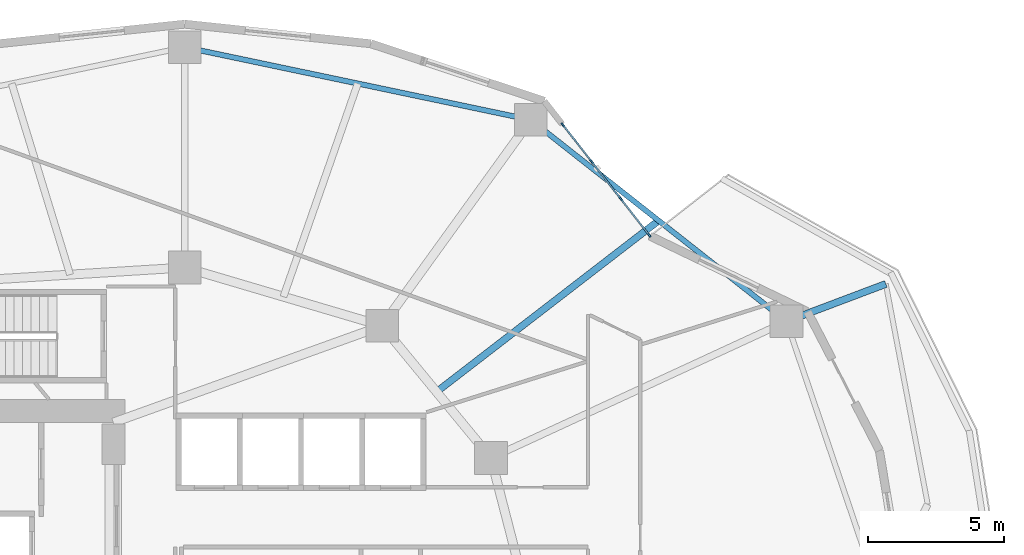
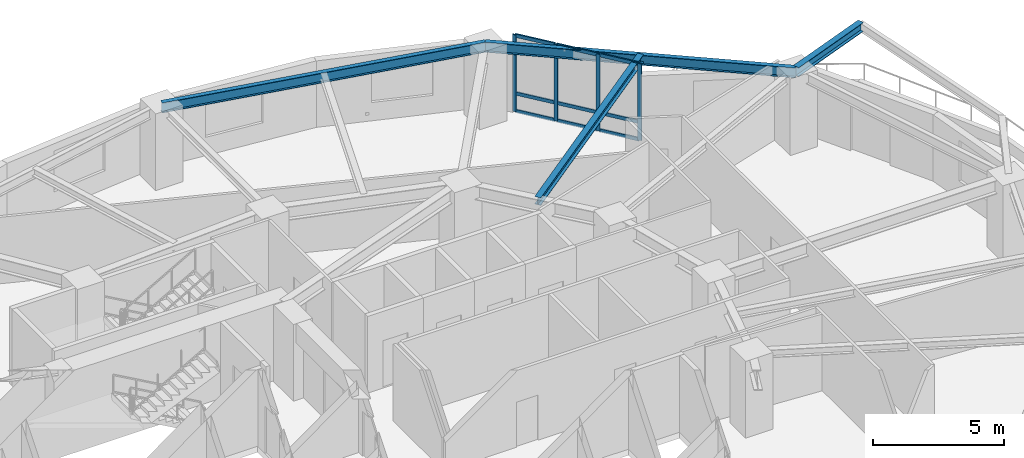
# One storey, part 3 of 12: 13 members, 4 beams, 1 element without a shape of its own.
"""IFC4 building model written with IfcOpenShell, lengths in metres."""

from ifc_helpers import new_model, si_unit, direction, frame, origin, origin_2d, place, context, subcontext, project, spatial, rectangle, i_section, extrude, material, layer, layer_set, material_profile, profile_set, type_object, element, aggregate, save


model = new_model("IFC4")

# Units and contexts
model_context = context("Model", 3, precision=1e-05, world=origin(), true_north=direction((0.0, 1.0)))
body_context = subcontext(model_context, "Body", "Model", "MODEL_VIEW")
ifc_project = project(units=[si_unit("LENGTHUNIT", "METRE"), si_unit("AREAUNIT", "SQUARE_METRE"), si_unit("VOLUMEUNIT", "CUBIC_METRE"), si_unit("PLANEANGLEUNIT", "RADIAN"), si_unit("MASSUNIT", "GRAM", prefix="KILO")], contexts=[model_context])

# Site, building, storey
site_placement = place(None, origin())
site = spatial("IfcSite", under=ifc_project, at=site_placement, CompositionType="ELEMENT")
building_placement = place(site_placement, origin())
building = spatial("IfcBuilding", under=site, at=building_placement, Name="Kolvaren Gate Tower and Convention Centre", CompositionType="ELEMENT")
storey_placement = place(building_placement, frame((0.0, 0.0, 84.25)))
storey = spatial("IfcBuildingStorey", under=building, at=storey_placement, Name="L20", CompositionType="ELEMENT", Elevation=84.25)

# Curtain wall, members
ifc_material_1 = material(Name="Anodized Architectural Aluminium Alloy 6063-T6", Category="aluminium")
ifc_layer = layer(ifc_material_1, 0.159912109375)
ifc_layer_set = layer_set([ifc_layer], Name="Anodized Architectural Aluminium Alloy 6063-T6")
curtain_wall_type = type_object("IfcCurtainWallType", Name="CW-OFF-UNIT", PredefinedType="NOTDEFINED", material=ifc_layer_set)
curtain_wall_placement = place(storey_placement, origin())
curtain_wall = element("IfcCurtainWall", 1, at=curtain_wall_placement, inside=storey, type_object=curtain_wall_type, Name="Tower L20 Unitised Curtain Wall CW-OFF-UNIT Bay 03", PredefinedType="NOTDEFINED")
ifc_material_profile_1 = material_profile(ifc_material_1, rectangle(XDim=0.06494140625, YDim=0.159912109375, at=origin_2d()), Name="CW-MEM-MUL-160")
ifc_profile_set_1 = profile_set([ifc_material_profile_1], Name="Anodized Architectural Aluminium Alloy 6063-T6")
member_type_1 = type_object("IfcMemberType", Name="CW-MEM-MUL-160", PredefinedType="MULLION", material=ifc_profile_set_1)
member_1_placement = place(storey_placement, frame((44.027099609375, 44.443603515625, 0.0), z_axis=(0.0, 0.0, 1.0), x_axis=(0.787406322976, 0.61643432946, 0.0)))
member_1 = element("IfcMember", 2, at=member_1_placement, type_object=member_type_1, Name="CW-02 mullion 1", PredefinedType="MULLION", context=body_context, shape_type="SweptSolid", body=[
    extrude(rectangle(XDim=0.06494140625, YDim=0.159912109375, at=origin_2d()), origin(), (0.0, 0.0, 1.0), 3.570068359375),
])
member_2_placement = place(storey_placement, frame((45.079345703125, 43.099365234375, 0.0), z_axis=(0.0, 0.0, 1.0), x_axis=(0.787406322976, 0.61643432946, 0.0)))
member_2 = element("IfcMember", 3, at=member_2_placement, type_object=member_type_1, Name="CW-02 mullion 2", PredefinedType="MULLION", context=body_context, shape_type="SweptSolid", body=[
    extrude(rectangle(XDim=0.06494140625, YDim=0.159912109375, at=origin_2d()), origin(), (0.0, 0.0, 1.0), 3.570068359375),
])
member_3_placement = place(storey_placement, frame((46.151611328125, 41.729736328125, 0.0), z_axis=(0.0, 0.0, 1.0), x_axis=(0.787406322976, 0.61643432946, 0.0)))
member_3 = element("IfcMember", 4, at=member_3_placement, type_object=member_type_1, Name="CW-02 mullion 3", PredefinedType="MULLION", context=body_context, shape_type="SweptSolid", body=[
    extrude(rectangle(XDim=0.06494140625, YDim=0.159912109375, at=origin_2d()), origin(), (0.0, 0.0, 1.0), 3.570068359375),
])
member_4_placement = place(storey_placement, frame((47.203857421875, 40.3857421875, 0.0), z_axis=(0.0, 0.0, 1.0), x_axis=(0.787406322976, 0.61643432946, 0.0)))
member_4 = element("IfcMember", 5, at=member_4_placement, type_object=member_type_1, Name="CW-02 mullion 4", PredefinedType="MULLION", context=body_context, shape_type="SweptSolid", body=[
    extrude(rectangle(XDim=0.06494140625, YDim=0.159912109375, at=origin_2d()), origin(), (0.0, 0.0, 1.0), 3.570068359375),
])
ifc_material_profile_2 = material_profile(ifc_material_1, rectangle(XDim=0.06494140625, YDim=0.159912109375, at=origin_2d()), Name="CW-MEM-TRN-160")
ifc_profile_set_2 = profile_set([ifc_material_profile_2], Name="Anodized Architectural Aluminium Alloy 6063-T6")
member_type_2 = type_object("IfcMemberType", Name="CW-MEM-TRN-160", PredefinedType="USERDEFINED", material=ifc_profile_set_2)
member_5_placement = place(storey_placement, frame((44.047119140625, 44.41796875, 0.032470703125), z_axis=(0.616428523412, -0.787410868304, 0.0), x_axis=(0.787410868304, 0.616428523412, 0.0)))
member_5 = element("IfcMember", 6, at=member_5_placement, type_object=member_type_2, Name="CW-02 transom 1.1", ObjectType="TRANSOM", PredefinedType="USERDEFINED", context=body_context, shape_type="SweptSolid", body=[
    extrude(rectangle(XDim=0.06494140625, YDim=0.159912109375, at=origin_2d()), origin(), (0.0, 0.0, 1.0), 1.64208984375),
])
member_6_placement = place(storey_placement, frame((44.047119140625, 44.41796875, 0.85009765625), z_axis=(0.616428523412, -0.787410868304, 0.0), x_axis=(0.787410868304, 0.616428523412, 0.0)))
member_6 = element("IfcMember", 7, at=member_6_placement, type_object=member_type_2, Name="CW-02 transom 1.2", ObjectType="TRANSOM", PredefinedType="USERDEFINED", context=body_context, shape_type="SweptSolid", body=[
    extrude(rectangle(XDim=0.06494140625, YDim=0.159912109375, at=origin_2d()), origin(), (0.0, 0.0, 1.0), 1.64208984375),
])
member_7_placement = place(storey_placement, frame((44.047119140625, 44.41796875, 3.53759765625), z_axis=(0.616428523412, -0.787410868304, 0.0), x_axis=(0.787410868304, 0.616428523412, 0.0)))
member_7 = element("IfcMember", 8, at=member_7_placement, type_object=member_type_2, Name="CW-02 transom 1.3", ObjectType="TRANSOM", PredefinedType="USERDEFINED", context=body_context, shape_type="SweptSolid", body=[
    extrude(rectangle(XDim=0.06494140625, YDim=0.159912109375, at=origin_2d()), origin(), (0.0, 0.0, 1.0), 1.64208984375),
])
member_8_placement = place(storey_placement, frame((45.099365234375, 43.07373046875, 0.032470703125), z_axis=(0.616481234943, -0.787369599974, 0.0), x_axis=(0.787369599974, 0.616481234943, 0.0)))
member_8 = element("IfcMember", 9, at=member_8_placement, type_object=member_type_2, Name="CW-02 transom 2.1", ObjectType="TRANSOM", PredefinedType="USERDEFINED", context=body_context, shape_type="SweptSolid", body=[
    extrude(rectangle(XDim=0.06494140625, YDim=0.159912109375, at=origin_2d()), origin(), (0.0, 0.0, 1.0), 1.67431640625),
])
member_9_placement = place(storey_placement, frame((45.099365234375, 43.07373046875, 0.85009765625), z_axis=(0.616481234943, -0.787369599974, 0.0), x_axis=(0.787369599974, 0.616481234943, 0.0)))
member_9 = element("IfcMember", 10, at=member_9_placement, type_object=member_type_2, Name="CW-02 transom 2.2", ObjectType="TRANSOM", PredefinedType="USERDEFINED", context=body_context, shape_type="SweptSolid", body=[
    extrude(rectangle(XDim=0.06494140625, YDim=0.159912109375, at=origin_2d()), origin(), (0.0, 0.0, 1.0), 1.67431640625),
])
member_10_placement = place(storey_placement, frame((45.099365234375, 43.07373046875, 3.53759765625), z_axis=(0.616481234943, -0.787369599974, 0.0), x_axis=(0.787369599974, 0.616481234943, 0.0)))
member_10 = element("IfcMember", 11, at=member_10_placement, type_object=member_type_2, Name="CW-02 transom 2.3", ObjectType="TRANSOM", PredefinedType="USERDEFINED", context=body_context, shape_type="SweptSolid", body=[
    extrude(rectangle(XDim=0.06494140625, YDim=0.159912109375, at=origin_2d()), origin(), (0.0, 0.0, 1.0), 1.67431640625),
])
member_11_placement = place(storey_placement, frame((46.171630859375, 41.7041015625, 0.032470703125), z_axis=(0.61650069609, -0.787354362228, 0.0), x_axis=(0.787354362228, 0.61650069609, 0.0)))
member_11 = element("IfcMember", 12, at=member_11_placement, type_object=member_type_2, Name="CW-02 transom 3.1", ObjectType="TRANSOM", PredefinedType="USERDEFINED", context=body_context, shape_type="SweptSolid", body=[
    extrude(rectangle(XDim=0.06494140625, YDim=0.159912109375, at=origin_2d()), origin(), (0.0, 0.0, 1.0), 1.641845703125),
])
member_12_placement = place(storey_placement, frame((46.171630859375, 41.7041015625, 0.85009765625), z_axis=(0.61650069609, -0.787354362228, 0.0), x_axis=(0.787354362228, 0.61650069609, 0.0)))
member_12 = element("IfcMember", 13, at=member_12_placement, type_object=member_type_2, Name="CW-02 transom 3.2", ObjectType="TRANSOM", PredefinedType="USERDEFINED", context=body_context, shape_type="SweptSolid", body=[
    extrude(rectangle(XDim=0.06494140625, YDim=0.159912109375, at=origin_2d()), origin(), (0.0, 0.0, 1.0), 1.641845703125),
])
member_13_placement = place(storey_placement, frame((46.171630859375, 41.7041015625, 3.53759765625), z_axis=(0.61650069609, -0.787354362228, 0.0), x_axis=(0.787354362228, 0.61650069609, 0.0)))
member_13 = element("IfcMember", 14, at=member_13_placement, type_object=member_type_2, Name="CW-02 transom 3.3", ObjectType="TRANSOM", PredefinedType="USERDEFINED", context=body_context, shape_type="SweptSolid", body=[
    extrude(rectangle(XDim=0.06494140625, YDim=0.159912109375, at=origin_2d()), origin(), (0.0, 0.0, 1.0), 1.641845703125),
])
aggregate(curtain_wall, [member_1, member_2, member_3, member_4, member_5, member_6, member_7, member_8, member_9, member_10, member_11, member_12, member_13])

# Beams
ifc_material_2 = material(Name="Structural steel ASTM A992 Grade 345 MPa", Category="steel")
ifc_material_profile_3 = material_profile(ifc_material_2, i_section(OverallWidth=0.260009765625, OverallDepth=0.419921875, WebThickness=0.013427734375, FlangeThickness=0.0224609375, at=origin_2d()), Name="W410X132")
ifc_profile_set_3 = profile_set([ifc_material_profile_3], Name="Structural steel ASTM A992 Grade 345 MPa")
beam_type_1 = type_object("IfcBeamType", Name="STR-BM-W410X132", PredefinedType="BEAM", material=ifc_profile_set_3)
beam_1_placement = place(storey_placement, frame((52.248779296875, 37.218505859375, 3.360595703125), z_axis=(0.935601718951, 0.353057252434, 0.0), x_axis=(-0.353057252434, 0.935601718951, 0.0)))
element("IfcBeam", 15, at=beam_1_placement, inside=storey, type_object=beam_type_1, Name="Tower L21 Planted Balcony Outrigger Cantilever BC-1B", PredefinedType="BEAM", context=body_context, shape_type="SweptSolid", body=[
    extrude(i_section(OverallWidth=0.260009765625, OverallDepth=0.419921875, WebThickness=0.013427734375, FlangeThickness=0.0224609375, at=origin_2d()), origin(), (0.0, 0.0, 1.0), 3.900146484375),
])
ifc_material_profile_4 = material_profile(ifc_material_2, i_section(OverallWidth=0.2548828125, OverallDepth=0.35693359375, WebThickness=0.010498046875, FlangeThickness=0.018310546875, at=origin_2d()), Name="W360X101")
ifc_profile_set_4 = profile_set([ifc_material_profile_4], Name="Structural steel ASTM A992 Grade 345 MPa")
beam_type_2 = type_object("IfcBeamType", Name="STR-JS-W360X101", PredefinedType="JOIST", material=ifc_profile_set_4)
beam_2_placement = place(storey_placement, frame((39.3818359375, 34.627197265625, 3.3916015625), z_axis=(0.791953664744, 0.610581192716, 0.0), x_axis=(-0.610581192716, 0.791953664744, 0.0)))
element("IfcBeam", 16, at=beam_2_placement, inside=storey, type_object=beam_type_2, Name="Tower L20 Secondary Composite Floor Joist J-02.1", PredefinedType="JOIST", context=body_context, shape_type="SweptSolid", body=[
    extrude(i_section(OverallWidth=0.2548828125, OverallDepth=0.35693359375, WebThickness=0.010498046875, FlangeThickness=0.018310546875, at=origin_2d()), origin(), (0.0, 0.0, 1.0), 10.31103515625),
])
ifc_material_profile_5 = material_profile(ifc_material_2, i_section(OverallWidth=0.194091796875, OverallDepth=0.468994140625, WebThickness=0.0126953125, FlangeThickness=0.0205078125, at=origin_2d()), Name="W460X106")
ifc_profile_set_5 = profile_set([ifc_material_profile_5], Name="Structural steel ASTM A992 Grade 345 MPa")
beam_type_3 = type_object("IfcBeamType", Name="STR-SP-W460X106", PredefinedType="SPANDREL", material=ifc_profile_set_5)
beam_3_placement = place(storey_placement, frame((52.248779296875, 37.218505859375, 3.33544921875), z_axis=(-0.785459824636, 0.618912646407, 0.0), x_axis=(-0.618912646407, -0.785459824636, 0.0)))
element("IfcBeam", 17, at=beam_3_placement, inside=storey, type_object=beam_type_3, Name="Tower L20 Perimeter Spandrel Beam SP-02", PredefinedType="SPANDREL", context=body_context, shape_type="SweptSolid", body=[
    extrude(i_section(OverallWidth=0.194091796875, OverallDepth=0.468994140625, WebThickness=0.0126953125, FlangeThickness=0.0205078125, at=origin_2d()), origin(), (0.0, 0.0, 1.0), 11.970458984375),
])
beam_4_placement = place(storey_placement, frame((42.846435546875, 44.627197265625, 3.33544921875), z_axis=(-0.978632602148, 0.205616706552, 0.0), x_axis=(-0.205616706552, -0.978632602148, 0.0)))
element("IfcBeam", 18, at=beam_4_placement, inside=storey, type_object=beam_type_3, Name="Tower L20 Perimeter Spandrel Beam SP-03", PredefinedType="SPANDREL", context=body_context, shape_type="SweptSolid", body=[
    extrude(i_section(OverallWidth=0.194091796875, OverallDepth=0.468994140625, WebThickness=0.0126953125, FlangeThickness=0.0205078125, at=origin_2d()), origin(), (0.0, 0.0, 1.0), 12.999267578125),
])

save(model, "model.ifc")
